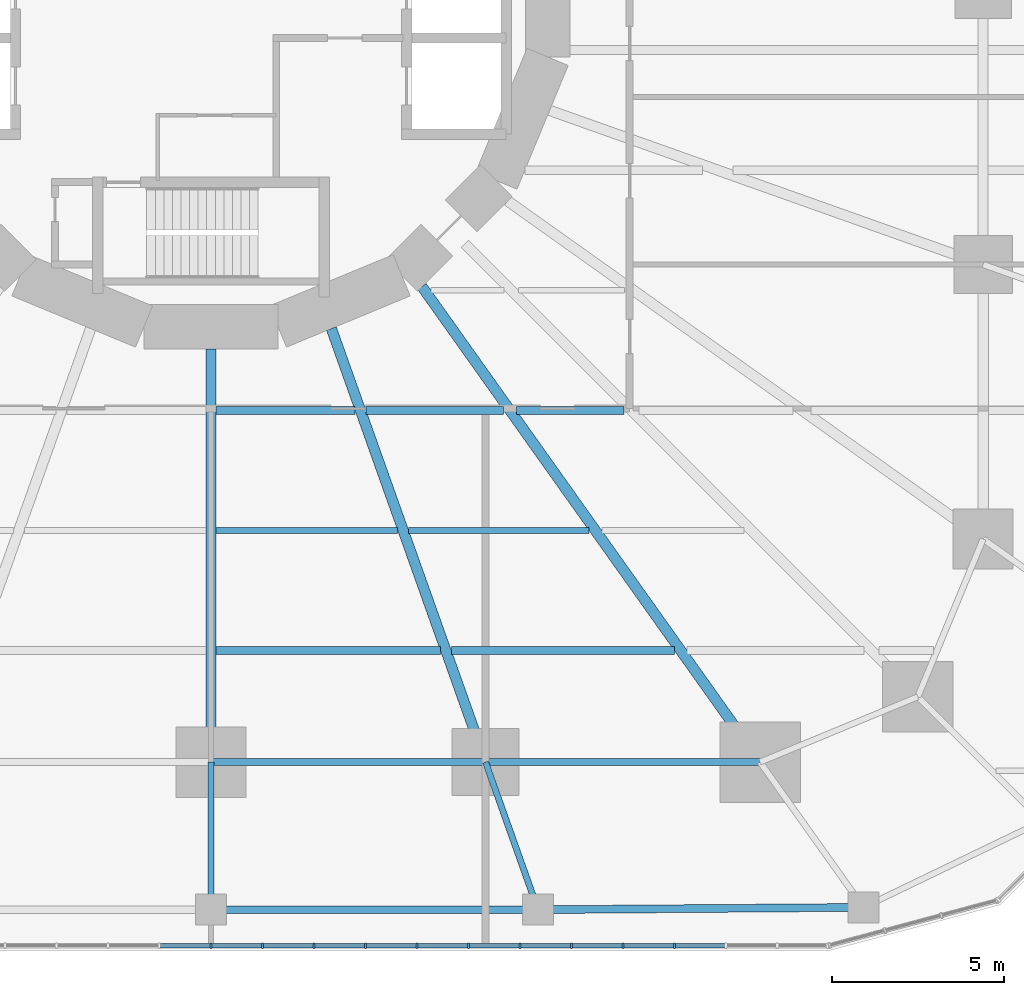
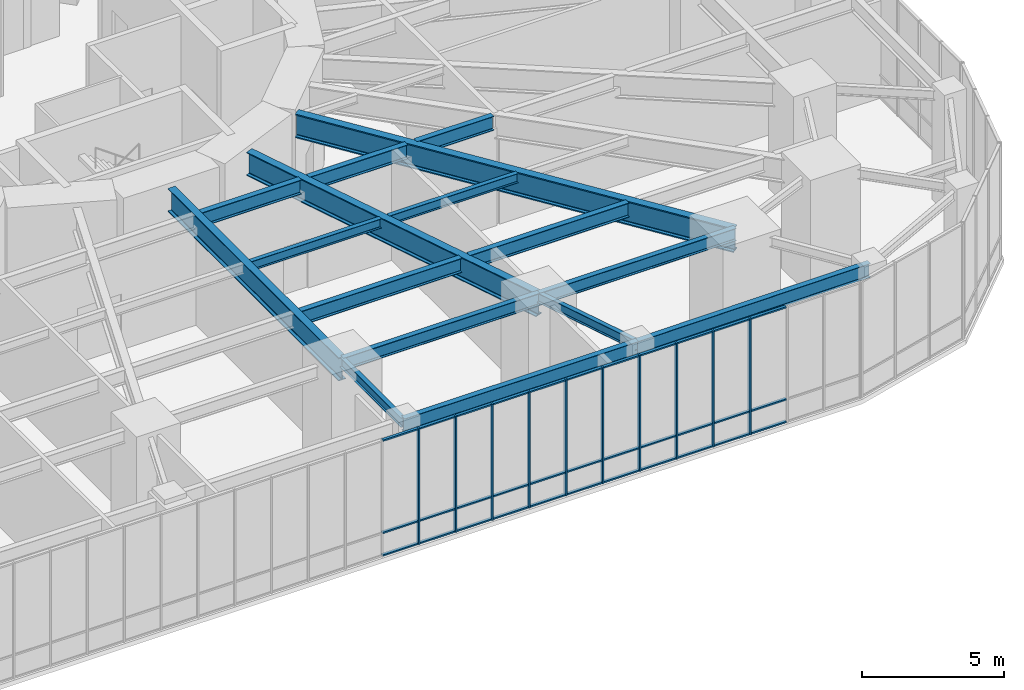
# One storey, part 5 of 24: 43 members, 16 beams, 1 element without a shape of its own.
"""IFC4 building model written with IfcOpenShell, lengths in metres."""

from ifc_helpers import new_model, si_unit, direction, frame, origin, origin_2d, place, context, subcontext, project, spatial, rectangle, i_section, extrude, material, material_profile, profile_set, type_object, element, aggregate, save


model = new_model("IFC4")

# Units and contexts
model_context = context("Model", 3, precision=1e-05, world=origin(), true_north=direction((0.0, 1.0)))
body_context = subcontext(model_context, "Body", "Model", "MODEL_VIEW")
ifc_project = project(units=[si_unit("LENGTHUNIT", "METRE"), si_unit("AREAUNIT", "SQUARE_METRE"), si_unit("VOLUMEUNIT", "CUBIC_METRE"), si_unit("PLANEANGLEUNIT", "RADIAN"), si_unit("MASSUNIT", "GRAM", prefix="KILO")], contexts=[model_context])

# Site, building, storey
site_placement = place(None, origin())
site = spatial("IfcSite", under=ifc_project, at=site_placement, CompositionType="ELEMENT")
building_placement = place(site_placement, origin())
building = spatial("IfcBuilding", under=site, at=building_placement, Name="Nakasero Lantern House", CompositionType="ELEMENT")
storey_placement = place(building_placement, frame((0.0, 0.0, 6.0)))
storey = spatial("IfcBuildingStorey", under=building, at=storey_placement, Name="L01", CompositionType="ELEMENT", Elevation=6.0)

# Beams
ifc_material_1 = material(Name="Steel S355", Category="steel")
ifc_material_profile_1 = material_profile(ifc_material_1, i_section(OverallWidth=0.177978515625, OverallDepth=0.406494140625, WebThickness=0.0078125, FlangeThickness=0.0126953125, FilletRadius=0.01025390625, at=origin_2d()), Name="UB 406x178x60")
ifc_profile_set_1 = profile_set([ifc_material_profile_1], Name="Steel S355")
beam_type_1 = type_object("IfcBeamType", Name="Infill beam UB 406x178x60", PredefinedType="JOIST", material=ifc_profile_set_1)
beam_1_placement = place(storey_placement, frame((0.14990234375, -15.75, 4.5966796875), z_axis=(1.0, 0.0, 0.0), x_axis=(0.0, 1.0, 0.0)))
element("IfcBeam", 1, at=beam_1_placement, inside=storey, type_object=beam_type_1, Name="Infill beam L02 04.4", PredefinedType="JOIST", context=body_context, shape_type="SweptSolid", body=[
    extrude(i_section(OverallWidth=0.177978515625, OverallDepth=0.406494140625, WebThickness=0.0078125, FlangeThickness=0.0126953125, FilletRadius=0.01025390625, at=origin_2d()), origin(), (0.0, 0.0, 1.0), 5.289794921875),
])
beam_2_placement = place(storey_placement, frame((5.76025390625, -15.75, 4.5966796875), z_axis=(1.0, 0.0, 0.0), x_axis=(0.0, 1.0, 0.0)))
element("IfcBeam", 2, at=beam_2_placement, inside=storey, type_object=beam_type_1, Name="Infill beam L02 04.5", PredefinedType="JOIST", context=body_context, shape_type="SweptSolid", body=[
    extrude(i_section(OverallWidth=0.177978515625, OverallDepth=0.406494140625, WebThickness=0.0078125, FlangeThickness=0.0126953125, FilletRadius=0.01025390625, at=origin_2d()), origin(), (0.0, 0.0, 1.0), 5.25244140625),
])
ifc_material_2 = material(Name="Steel S355", Category="steel")
ifc_material_profile_2 = material_profile(ifc_material_2, i_section(OverallWidth=0.22900390625, OverallDepth=0.6123046875, WebThickness=0.011962890625, FlangeThickness=0.01953125, FilletRadius=0.0126953125, at=origin_2d()), Name="UB 610x229x125")
ifc_profile_set_2 = profile_set([ifc_material_profile_2], Name="Steel S355")
beam_type_2 = type_object("IfcBeamType", Name="Infill beam UB 610x229x125", PredefinedType="JOIST", material=ifc_profile_set_2)
beam_3_placement = place(storey_placement, frame((0.14990234375, -19.25, 4.493896484375), z_axis=(1.0, 0.0, 0.0), x_axis=(0.0, 1.0, 0.0)))
element("IfcBeam", 3, at=beam_3_placement, inside=storey, type_object=beam_type_2, Name="Infill beam L02 03.5", PredefinedType="JOIST", context=body_context, shape_type="SweptSolid", body=[
    extrude(i_section(OverallWidth=0.22900390625, OverallDepth=0.6123046875, WebThickness=0.011962890625, FlangeThickness=0.01953125, FilletRadius=0.0126953125, at=origin_2d()), origin(), (0.0, 0.0, 1.0), 6.5341796875),
])
beam_4_placement = place(storey_placement, frame((7.004638671875, -19.25, 4.493896484375), z_axis=(1.0, 0.0, 0.0), x_axis=(0.0, 1.0, 0.0)))
element("IfcBeam", 4, at=beam_4_placement, inside=storey, type_object=beam_type_2, Name="Infill beam L02 03.6", PredefinedType="JOIST", context=body_context, shape_type="SweptSolid", body=[
    extrude(i_section(OverallWidth=0.22900390625, OverallDepth=0.6123046875, WebThickness=0.011962890625, FlangeThickness=0.01953125, FilletRadius=0.0126953125, at=origin_2d()), origin(), (0.0, 0.0, 1.0), 6.496826171875),
])
beam_5_placement = place(storey_placement, frame((0.14990234375, -12.25, 4.493896484375), z_axis=(1.0, 0.0, 0.0), x_axis=(0.0, 1.0, 0.0)))
element("IfcBeam", 5, at=beam_5_placement, inside=storey, type_object=beam_type_2, Name="Infill beam L02 05.7", PredefinedType="JOIST", context=body_context, shape_type="SweptSolid", body=[
    extrude(i_section(OverallWidth=0.22900390625, OverallDepth=0.6123046875, WebThickness=0.011962890625, FlangeThickness=0.01953125, FilletRadius=0.0126953125, at=origin_2d()), origin(), (0.0, 0.0, 1.0), 4.04541015625),
])
beam_6_placement = place(storey_placement, frame((4.515869140625, -12.25, 4.493896484375), z_axis=(1.0, 0.0, 0.0), x_axis=(0.0, 1.0, 0.0)))
element("IfcBeam", 6, at=beam_6_placement, inside=storey, type_object=beam_type_2, Name="Infill beam L02 05.8", PredefinedType="JOIST", context=body_context, shape_type="SweptSolid", body=[
    extrude(i_section(OverallWidth=0.22900390625, OverallDepth=0.6123046875, WebThickness=0.011962890625, FlangeThickness=0.01953125, FilletRadius=0.0126953125, at=origin_2d()), origin(), (0.0, 0.0, 1.0), 4.0078125),
])
beam_7_placement = place(storey_placement, frame((8.8984375, -12.25, 4.493896484375), z_axis=(1.0, 0.0, 0.0), x_axis=(0.0, 1.0, 0.0)))
element("IfcBeam", 7, at=beam_7_placement, inside=storey, type_object=beam_type_2, Name="Infill beam L02 05.9", PredefinedType="JOIST", context=body_context, shape_type="SweptSolid", body=[
    extrude(i_section(OverallWidth=0.22900390625, OverallDepth=0.6123046875, WebThickness=0.011962890625, FlangeThickness=0.01953125, FilletRadius=0.0126953125, at=origin_2d()), origin(), (0.0, 0.0, 1.0), 3.135498046875),
])

# Curtain wall, members
ifc_material_3 = material(Name="Aluminium 6063-T6 and glass", Category="aluminium")
curtain_wall_type = type_object("IfcCurtainWallType", Name="Podium curtain wall CW-2", PredefinedType="USERDEFINED", material=ifc_material_3)
curtain_wall_placement = place(storey_placement, origin())
curtain_wall = element("IfcCurtainWall", 8, at=curtain_wall_placement, inside=storey, type_object=curtain_wall_type, Name="Curtain wall CW-2 L01", ObjectType="STICK CURTAIN WALL", PredefinedType="USERDEFINED")
ifc_material_4 = material(Name="Aluminium 6063-T6", Category="aluminium")
ifc_material_profile_3 = material_profile(ifc_material_4, rectangle(XDim=0.06005859375, YDim=0.159912109375, at=origin_2d()), Name="CW-2 mullion 60x160")
ifc_profile_set_3 = profile_set([ifc_material_profile_3], Name="Aluminium 6063-T6")
member_type_1 = type_object("IfcMemberType", Name="Mullion CW-2", PredefinedType="MULLION", material=ifc_profile_set_3)
member_1_placement = place(storey_placement, frame((0.0, -27.85009765625, 0.0), z_axis=(0.0, 0.0, 1.0), x_axis=(1.0, 0.0, 0.0)))
member_1 = element("IfcMember", 9, at=member_1_placement, type_object=member_type_1, Name="CW-2 mullion 13", PredefinedType="MULLION", context=body_context, shape_type="SweptSolid", body=[
    extrude(rectangle(XDim=0.06005859375, YDim=0.159912109375, at=origin_2d()), origin(), (0.0, 0.0, 1.0), 5.0),
])
member_2_placement = place(storey_placement, frame((1.5, -27.85009765625, 0.0), z_axis=(0.0, 0.0, 1.0), x_axis=(1.0, 0.0, 0.0)))
member_2 = element("IfcMember", 10, at=member_2_placement, type_object=member_type_1, Name="CW-2 mullion 14", PredefinedType="MULLION", context=body_context, shape_type="SweptSolid", body=[
    extrude(rectangle(XDim=0.06005859375, YDim=0.159912109375, at=origin_2d()), origin(), (0.0, 0.0, 1.0), 5.0),
])
member_3_placement = place(storey_placement, frame((3.0, -27.85009765625, 0.0), z_axis=(0.0, 0.0, 1.0), x_axis=(1.0, 0.0, 0.0)))
member_3 = element("IfcMember", 11, at=member_3_placement, type_object=member_type_1, Name="CW-2 mullion 15", PredefinedType="MULLION", context=body_context, shape_type="SweptSolid", body=[
    extrude(rectangle(XDim=0.06005859375, YDim=0.159912109375, at=origin_2d()), origin(), (0.0, 0.0, 1.0), 5.0),
])
member_4_placement = place(storey_placement, frame((4.5, -27.85009765625, 0.0), z_axis=(0.0, 0.0, 1.0), x_axis=(1.0, 0.0, 0.0)))
member_4 = element("IfcMember", 12, at=member_4_placement, type_object=member_type_1, Name="CW-2 mullion 16", PredefinedType="MULLION", context=body_context, shape_type="SweptSolid", body=[
    extrude(rectangle(XDim=0.06005859375, YDim=0.159912109375, at=origin_2d()), origin(), (0.0, 0.0, 1.0), 5.0),
])
member_5_placement = place(storey_placement, frame((6.0, -27.85009765625, 0.0), z_axis=(0.0, 0.0, 1.0), x_axis=(1.0, 0.0, 0.0)))
member_5 = element("IfcMember", 13, at=member_5_placement, type_object=member_type_1, Name="CW-2 mullion 17", PredefinedType="MULLION", context=body_context, shape_type="SweptSolid", body=[
    extrude(rectangle(XDim=0.06005859375, YDim=0.159912109375, at=origin_2d()), origin(), (0.0, 0.0, 1.0), 5.0),
])
member_6_placement = place(storey_placement, frame((7.5, -27.85009765625, 0.0), z_axis=(0.0, 0.0, 1.0), x_axis=(1.0, 0.0, 0.0)))
member_6 = element("IfcMember", 14, at=member_6_placement, type_object=member_type_1, Name="CW-2 mullion 18", PredefinedType="MULLION", context=body_context, shape_type="SweptSolid", body=[
    extrude(rectangle(XDim=0.06005859375, YDim=0.159912109375, at=origin_2d()), origin(), (0.0, 0.0, 1.0), 5.0),
])
member_7_placement = place(storey_placement, frame((9.0, -27.85009765625, 0.0), z_axis=(0.0, 0.0, 1.0), x_axis=(1.0, 0.0, 0.0)))
member_7 = element("IfcMember", 15, at=member_7_placement, type_object=member_type_1, Name="CW-2 mullion 19", PredefinedType="MULLION", context=body_context, shape_type="SweptSolid", body=[
    extrude(rectangle(XDim=0.06005859375, YDim=0.159912109375, at=origin_2d()), origin(), (0.0, 0.0, 1.0), 5.0),
])
member_8_placement = place(storey_placement, frame((10.5, -27.85009765625, 0.0), z_axis=(0.0, 0.0, 1.0), x_axis=(1.0, 0.0, 0.0)))
member_8 = element("IfcMember", 16, at=member_8_placement, type_object=member_type_1, Name="CW-2 mullion 20", PredefinedType="MULLION", context=body_context, shape_type="SweptSolid", body=[
    extrude(rectangle(XDim=0.06005859375, YDim=0.159912109375, at=origin_2d()), origin(), (0.0, 0.0, 1.0), 5.0),
])
member_9_placement = place(storey_placement, frame((12.0, -27.85009765625, 0.0), z_axis=(0.0, 0.0, 1.0), x_axis=(1.0, 0.0, 0.0)))
member_9 = element("IfcMember", 17, at=member_9_placement, type_object=member_type_1, Name="CW-2 mullion 21", PredefinedType="MULLION", context=body_context, shape_type="SweptSolid", body=[
    extrude(rectangle(XDim=0.06005859375, YDim=0.159912109375, at=origin_2d()), origin(), (0.0, 0.0, 1.0), 5.0),
])
member_10_placement = place(storey_placement, frame((13.5, -27.85009765625, 0.0), z_axis=(0.0, 0.0, 1.0), x_axis=(1.0, 0.0, 0.0)))
member_10 = element("IfcMember", 18, at=member_10_placement, type_object=member_type_1, Name="CW-2 mullion 22", PredefinedType="MULLION", context=body_context, shape_type="SweptSolid", body=[
    extrude(rectangle(XDim=0.06005859375, YDim=0.159912109375, at=origin_2d()), origin(), (0.0, 0.0, 1.0), 5.0),
])

# Beams
ifc_material_5 = material(Name="Steel S355", Category="steel")
ifc_material_profile_4 = material_profile(ifc_material_5, i_section(OverallWidth=0.300048828125, OverallDepth=1.0, WebThickness=0.01904296875, FlangeThickness=0.035888671875, FilletRadius=0.030029296875, at=origin_2d()), Name="UB 1016x305x314")
ifc_profile_set_4 = profile_set([ifc_material_profile_4], Name="Steel S355")
beam_type_3 = type_object("IfcBeamType", Name="Primary beam UB 1016x305x314, span 12 to 15 m", PredefinedType="BEAM", material=ifc_profile_set_4)
beam_8_placement = place(storey_placement, frame((0.0, -22.5, 4.300048828125), z_axis=(0.0, 1.0, 0.0), x_axis=(-1.0, 0.0, 0.0)))
element("IfcBeam", 19, at=beam_8_placement, inside=storey, type_object=beam_type_3, Name="Primary beam L02 B1-C21", PredefinedType="BEAM", context=body_context, shape_type="SweptSolid", body=[
    extrude(i_section(OverallWidth=0.300048828125, OverallDepth=1.0, WebThickness=0.01904296875, FlangeThickness=0.035888671875, FilletRadius=0.030029296875, at=origin_2d()), origin(), (0.0, 0.0, 1.0), 12.042236328125),
])
ifc_material_6 = material(Name="Steel S355", Category="steel")
ifc_material_profile_5 = material_profile(ifc_material_6, i_section(OverallWidth=0.302001953125, OverallDepth=1.008056640625, WebThickness=0.02099609375, FlangeThickness=0.0400390625, FilletRadius=0.030029296875, at=origin_2d()), Name="UB 1016x305x349")
ifc_profile_set_5 = profile_set([ifc_material_profile_5], Name="Steel S355")
beam_type_4 = type_object("IfcBeamType", Name="Primary beam UB 1016x305x349, span 12 to 15 m", PredefinedType="BEAM", material=ifc_profile_set_5)
beam_9_placement = place(storey_placement, frame((8.0, -22.5, 4.2958984375), z_axis=(-0.335010745293, 0.942214307118, 0.0), x_axis=(-0.942214307118, -0.335010745293, 0.0)))
element("IfcBeam", 20, at=beam_9_placement, inside=storey, type_object=beam_type_4, Name="Primary beam L02 B1-C22", PredefinedType="BEAM", context=body_context, shape_type="SweptSolid", body=[
    extrude(i_section(OverallWidth=0.302001953125, OverallDepth=1.008056640625, WebThickness=0.02099609375, FlangeThickness=0.0400390625, FilletRadius=0.030029296875, at=origin_2d()), origin(), (0.0, 0.0, 1.0), 13.408447265625),
])
ifc_material_7 = material(Name="Steel S355", Category="steel")
ifc_material_profile_6 = material_profile(ifc_material_7, i_section(OverallWidth=0.305419921875, OverallDepth=1.026123046875, WebThickness=0.02685546875, FlangeThickness=0.049072265625, FilletRadius=0.030029296875, at=origin_2d()), Name="UB 1016x305x437")
ifc_profile_set_6 = profile_set([ifc_material_profile_6], Name="Steel S355")
beam_type_5 = type_object("IfcBeamType", Name="Primary beam UB 1016x305x437, span over 15 m", PredefinedType="BEAM", material=ifc_profile_set_6)
beam_10_placement = place(storey_placement, frame((16.0, -22.5, 4.286865234375), z_axis=(-0.579528236629, 0.814952159915, 0.0), x_axis=(-0.814952159915, -0.579528236629, 0.0)))
element("IfcBeam", 21, at=beam_10_placement, inside=storey, type_object=beam_type_5, Name="Primary beam L02 B1-C23", PredefinedType="BEAM", context=body_context, shape_type="SweptSolid", body=[
    extrude(i_section(OverallWidth=0.305419921875, OverallDepth=1.026123046875, WebThickness=0.02685546875, FlangeThickness=0.049072265625, FilletRadius=0.030029296875, at=origin_2d()), origin(), (0.0, 0.0, 1.0), 17.003173828125),
])
ifc_material_8 = material(Name="Steel S355", Category="steel")
ifc_material_profile_7 = material_profile(ifc_material_8, i_section(OverallWidth=0.179443359375, OverallDepth=0.412841796875, WebThickness=0.009521484375, FlangeThickness=0.01611328125, FilletRadius=0.01025390625, at=origin_2d()), Name="UB 406x178x74")
ifc_profile_set_7 = profile_set([ifc_material_profile_7], Name="Steel S355")
beam_type_6 = type_object("IfcBeamType", Name="Primary beam UB 406x178x74, span to 6 m", PredefinedType="BEAM", material=ifc_profile_set_7)
beam_11_placement = place(storey_placement, frame((0.0, -26.800048828125, 4.593505859375), z_axis=(0.0, 1.0, 0.0), x_axis=(-1.0, 0.0, 0.0)))
element("IfcBeam", 22, at=beam_11_placement, inside=storey, type_object=beam_type_6, Name="Primary beam L02 POD-C21", PredefinedType="BEAM", context=body_context, shape_type="SweptSolid", body=[
    extrude(i_section(OverallWidth=0.179443359375, OverallDepth=0.412841796875, WebThickness=0.009521484375, FlangeThickness=0.01611328125, FilletRadius=0.01025390625, at=origin_2d()), origin(), (0.0, 0.0, 1.0), 4.300048828125),
])
beam_12_placement = place(storey_placement, frame((9.52880859375, -26.800048828125, 4.593505859375), z_axis=(-0.334990670833, 0.942221444489, 0.0), x_axis=(-0.942221444489, -0.334990670833, 0.0)))
element("IfcBeam", 23, at=beam_12_placement, inside=storey, type_object=beam_type_6, Name="Primary beam L02 POD-C22", PredefinedType="BEAM", context=body_context, shape_type="SweptSolid", body=[
    extrude(i_section(OverallWidth=0.179443359375, OverallDepth=0.412841796875, WebThickness=0.009521484375, FlangeThickness=0.01611328125, FilletRadius=0.01025390625, at=origin_2d()), origin(), (0.0, 0.0, 1.0), 4.563720703125),
])
ifc_material_9 = material(Name="Steel S355", Category="steel")
ifc_material_profile_8 = material_profile(ifc_material_9, i_section(OverallWidth=0.2099609375, OverallDepth=0.53662109375, WebThickness=0.0107421875, FlangeThickness=0.017333984375, FilletRadius=0.0126953125, at=origin_2d()), Name="UB 533x210x101")
ifc_profile_set_8 = profile_set([ifc_material_profile_8], Name="Steel S355")
beam_type_7 = type_object("IfcBeamType", Name="Ring beam UB 533x210x101", PredefinedType="BEAM", material=ifc_profile_set_8)
for number, where, z_axis, x_axis, name in (
    (24, (0.0, -22.5, 4.53173828125), (1.0, 0.0, 0.0), (0.0, 1.0, 0.0), "Ring beam L02 B1-C21"),
    (25, (8.0, -22.5, 4.53173828125), (1.0, 0.0, 0.0), (0.0, 1.0, 0.0), "Ring beam L02 B1-C22"),
):
    element("IfcBeam", number, at=place(storey_placement, frame(where, z_axis=z_axis, x_axis=x_axis)), inside=storey, type_object=beam_type_7, Name=name, PredefinedType="BEAM", context=body_context, shape_type="SweptSolid", body=[
        extrude(i_section(OverallWidth=0.2099609375, OverallDepth=0.53662109375, WebThickness=0.0107421875, FlangeThickness=0.017333984375, FilletRadius=0.0126953125, at=origin_2d()), origin(), (0.0, 0.0, 1.0), 8.0),
    ])
ifc_material_10 = material(Name="Steel S355", Category="steel")
ifc_material_profile_9 = material_profile(ifc_material_10, i_section(OverallWidth=0.2275390625, OverallDepth=0.6025390625, WebThickness=0.010498046875, FlangeThickness=0.014892578125, FilletRadius=0.0126953125, at=origin_2d()), Name="UB 610x229x101")
ifc_profile_set_9 = profile_set([ifc_material_profile_9], Name="Steel S355")
beam_type_8 = type_object("IfcBeamType", Name="Ring beam UB 610x229x101", PredefinedType="BEAM", material=ifc_profile_set_9)
beam_13_placement = place(storey_placement, frame((0.0, -26.800048828125, 4.498779296875), z_axis=(1.0, 0.0, 0.0), x_axis=(0.0, 1.0, 0.0)))
element("IfcBeam", 26, at=beam_13_placement, inside=storey, type_object=beam_type_8, Name="Ring beam L02 POD-C21", PredefinedType="BEAM", context=body_context, shape_type="SweptSolid", body=[
    extrude(i_section(OverallWidth=0.2275390625, OverallDepth=0.6025390625, WebThickness=0.010498046875, FlangeThickness=0.014892578125, FilletRadius=0.0126953125, at=origin_2d()), origin(), (0.0, 0.0, 1.0), 9.52880859375),
])
beam_14_placement = place(storey_placement, frame((9.52880859375, -26.800048828125, 4.498779296875), z_axis=(0.999975476745, 0.007003278482, 0.0), x_axis=(-0.007003278482, 0.999975476745, 0.0)))
element("IfcBeam", 27, at=beam_14_placement, inside=storey, type_object=beam_type_8, Name="Ring beam L02 POD-C22", PredefinedType="BEAM", context=body_context, shape_type="SweptSolid", body=[
    extrude(i_section(OverallWidth=0.2275390625, OverallDepth=0.6025390625, WebThickness=0.010498046875, FlangeThickness=0.014892578125, FilletRadius=0.0126953125, at=origin_2d()), origin(), (0.0, 0.0, 1.0), 9.482177734375),
])

# Member
ifc_material_11 = material(Name="Aluminium 6063-T6", Category="aluminium")
ifc_material_profile_10 = material_profile(ifc_material_11, rectangle(XDim=0.06005859375, YDim=0.1201171875, at=origin_2d()), Name="CW-2 transom 60x120")
ifc_profile_set_10 = profile_set([ifc_material_profile_10], Name="Aluminium 6063-T6")
member_type_2 = type_object("IfcMemberType", Name="Transom CW-2", PredefinedType="USERDEFINED", material=ifc_profile_set_10)
member_11_placement = place(storey_placement, frame((-1.469970703125, -27.85009765625, 0.030029296875), z_axis=(1.0, 0.0, 0.0), x_axis=(0.0, 0.0, 1.0)))
member_11 = element("IfcMember", 28, at=member_11_placement, type_object=member_type_2, Name="CW-2 transom 12.1", ObjectType="TRANSOM", PredefinedType="USERDEFINED", context=body_context, shape_type="SweptSolid", body=[
    extrude(rectangle(XDim=0.06005859375, YDim=0.1201171875, at=origin_2d()), origin(), (0.0, 0.0, 1.0), 1.43994140625),
])

member_12_placement = place(storey_placement, frame((-1.469970703125, -27.85009765625, 1.0), z_axis=(1.0, 0.0, 0.0), x_axis=(0.0, 0.0, 1.0)))
member_12 = element("IfcMember", 29, at=member_12_placement, type_object=member_type_2, Name="CW-2 transom 12.2", ObjectType="TRANSOM", PredefinedType="USERDEFINED", context=body_context, shape_type="SweptSolid", body=[
    extrude(rectangle(XDim=0.06005859375, YDim=0.1201171875, at=origin_2d()), origin(), (0.0, 0.0, 1.0), 1.43994140625),
])

member_13_placement = place(storey_placement, frame((-1.469970703125, -27.85009765625, 4.969970703125), z_axis=(1.0, 0.0, 0.0), x_axis=(0.0, 0.0, 1.0)))
member_13 = element("IfcMember", 30, at=member_13_placement, type_object=member_type_2, Name="CW-2 transom 12.3", ObjectType="TRANSOM", PredefinedType="USERDEFINED", context=body_context, shape_type="SweptSolid", body=[
    extrude(rectangle(XDim=0.06005859375, YDim=0.1201171875, at=origin_2d()), origin(), (0.0, 0.0, 1.0), 1.43994140625),
])

member_14_placement = place(storey_placement, frame((0.030029296875, -27.85009765625, 0.030029296875), z_axis=(1.0, 0.0, 0.0), x_axis=(0.0, 0.0, 1.0)))
member_14 = element("IfcMember", 31, at=member_14_placement, type_object=member_type_2, Name="CW-2 transom 13.1", ObjectType="TRANSOM", PredefinedType="USERDEFINED", context=body_context, shape_type="SweptSolid", body=[
    extrude(rectangle(XDim=0.06005859375, YDim=0.1201171875, at=origin_2d()), origin(), (0.0, 0.0, 1.0), 1.43994140625),
])

member_15_placement = place(storey_placement, frame((0.030029296875, -27.85009765625, 1.0), z_axis=(1.0, 0.0, 0.0), x_axis=(0.0, 0.0, 1.0)))
member_15 = element("IfcMember", 32, at=member_15_placement, type_object=member_type_2, Name="CW-2 transom 13.2", ObjectType="TRANSOM", PredefinedType="USERDEFINED", context=body_context, shape_type="SweptSolid", body=[
    extrude(rectangle(XDim=0.06005859375, YDim=0.1201171875, at=origin_2d()), origin(), (0.0, 0.0, 1.0), 1.43994140625),
])

member_16_placement = place(storey_placement, frame((0.030029296875, -27.85009765625, 4.969970703125), z_axis=(1.0, 0.0, 0.0), x_axis=(0.0, 0.0, 1.0)))
member_16 = element("IfcMember", 33, at=member_16_placement, type_object=member_type_2, Name="CW-2 transom 13.3", ObjectType="TRANSOM", PredefinedType="USERDEFINED", context=body_context, shape_type="SweptSolid", body=[
    extrude(rectangle(XDim=0.06005859375, YDim=0.1201171875, at=origin_2d()), origin(), (0.0, 0.0, 1.0), 1.43994140625),
])

member_17_placement = place(storey_placement, frame((1.530029296875, -27.85009765625, 0.030029296875), z_axis=(1.0, 0.0, 0.0), x_axis=(0.0, 0.0, 1.0)))
member_17 = element("IfcMember", 34, at=member_17_placement, type_object=member_type_2, Name="CW-2 transom 14.1", ObjectType="TRANSOM", PredefinedType="USERDEFINED", context=body_context, shape_type="SweptSolid", body=[
    extrude(rectangle(XDim=0.06005859375, YDim=0.1201171875, at=origin_2d()), origin(), (0.0, 0.0, 1.0), 1.43994140625),
])

member_18_placement = place(storey_placement, frame((1.530029296875, -27.85009765625, 1.0), z_axis=(1.0, 0.0, 0.0), x_axis=(0.0, 0.0, 1.0)))
member_18 = element("IfcMember", 35, at=member_18_placement, type_object=member_type_2, Name="CW-2 transom 14.2", ObjectType="TRANSOM", PredefinedType="USERDEFINED", context=body_context, shape_type="SweptSolid", body=[
    extrude(rectangle(XDim=0.06005859375, YDim=0.1201171875, at=origin_2d()), origin(), (0.0, 0.0, 1.0), 1.43994140625),
])

member_19_placement = place(storey_placement, frame((1.530029296875, -27.85009765625, 4.969970703125), z_axis=(1.0, 0.0, 0.0), x_axis=(0.0, 0.0, 1.0)))
member_19 = element("IfcMember", 36, at=member_19_placement, type_object=member_type_2, Name="CW-2 transom 14.3", ObjectType="TRANSOM", PredefinedType="USERDEFINED", context=body_context, shape_type="SweptSolid", body=[
    extrude(rectangle(XDim=0.06005859375, YDim=0.1201171875, at=origin_2d()), origin(), (0.0, 0.0, 1.0), 1.43994140625),
])

member_20_placement = place(storey_placement, frame((3.030029296875, -27.85009765625, 0.030029296875), z_axis=(1.0, 0.0, 0.0), x_axis=(0.0, 0.0, 1.0)))
member_20 = element("IfcMember", 37, at=member_20_placement, type_object=member_type_2, Name="CW-2 transom 15.1", ObjectType="TRANSOM", PredefinedType="USERDEFINED", context=body_context, shape_type="SweptSolid", body=[
    extrude(rectangle(XDim=0.06005859375, YDim=0.1201171875, at=origin_2d()), origin(), (0.0, 0.0, 1.0), 1.43994140625),
])

member_21_placement = place(storey_placement, frame((3.030029296875, -27.85009765625, 1.0), z_axis=(1.0, 0.0, 0.0), x_axis=(0.0, 0.0, 1.0)))
member_21 = element("IfcMember", 38, at=member_21_placement, type_object=member_type_2, Name="CW-2 transom 15.2", ObjectType="TRANSOM", PredefinedType="USERDEFINED", context=body_context, shape_type="SweptSolid", body=[
    extrude(rectangle(XDim=0.06005859375, YDim=0.1201171875, at=origin_2d()), origin(), (0.0, 0.0, 1.0), 1.43994140625),
])

member_22_placement = place(storey_placement, frame((3.030029296875, -27.85009765625, 4.969970703125), z_axis=(1.0, 0.0, 0.0), x_axis=(0.0, 0.0, 1.0)))
member_22 = element("IfcMember", 39, at=member_22_placement, type_object=member_type_2, Name="CW-2 transom 15.3", ObjectType="TRANSOM", PredefinedType="USERDEFINED", context=body_context, shape_type="SweptSolid", body=[
    extrude(rectangle(XDim=0.06005859375, YDim=0.1201171875, at=origin_2d()), origin(), (0.0, 0.0, 1.0), 1.43994140625),
])

member_23_placement = place(storey_placement, frame((4.530029296875, -27.85009765625, 0.030029296875), z_axis=(1.0, 0.0, 0.0), x_axis=(0.0, 0.0, 1.0)))
member_23 = element("IfcMember", 40, at=member_23_placement, type_object=member_type_2, Name="CW-2 transom 16.1", ObjectType="TRANSOM", PredefinedType="USERDEFINED", context=body_context, shape_type="SweptSolid", body=[
    extrude(rectangle(XDim=0.06005859375, YDim=0.1201171875, at=origin_2d()), origin(), (0.0, 0.0, 1.0), 1.43994140625),
])

member_24_placement = place(storey_placement, frame((4.530029296875, -27.85009765625, 1.0), z_axis=(1.0, 0.0, 0.0), x_axis=(0.0, 0.0, 1.0)))
member_24 = element("IfcMember", 41, at=member_24_placement, type_object=member_type_2, Name="CW-2 transom 16.2", ObjectType="TRANSOM", PredefinedType="USERDEFINED", context=body_context, shape_type="SweptSolid", body=[
    extrude(rectangle(XDim=0.06005859375, YDim=0.1201171875, at=origin_2d()), origin(), (0.0, 0.0, 1.0), 1.43994140625),
])

member_25_placement = place(storey_placement, frame((4.530029296875, -27.85009765625, 4.969970703125), z_axis=(1.0, 0.0, 0.0), x_axis=(0.0, 0.0, 1.0)))
member_25 = element("IfcMember", 42, at=member_25_placement, type_object=member_type_2, Name="CW-2 transom 16.3", ObjectType="TRANSOM", PredefinedType="USERDEFINED", context=body_context, shape_type="SweptSolid", body=[
    extrude(rectangle(XDim=0.06005859375, YDim=0.1201171875, at=origin_2d()), origin(), (0.0, 0.0, 1.0), 1.43994140625),
])

member_26_placement = place(storey_placement, frame((6.030029296875, -27.85009765625, 0.030029296875), z_axis=(1.0, 0.0, 0.0), x_axis=(0.0, 0.0, 1.0)))
member_26 = element("IfcMember", 43, at=member_26_placement, type_object=member_type_2, Name="CW-2 transom 17.1", ObjectType="TRANSOM", PredefinedType="USERDEFINED", context=body_context, shape_type="SweptSolid", body=[
    extrude(rectangle(XDim=0.06005859375, YDim=0.1201171875, at=origin_2d()), origin(), (0.0, 0.0, 1.0), 1.43994140625),
])

member_27_placement = place(storey_placement, frame((6.030029296875, -27.85009765625, 1.0), z_axis=(1.0, 0.0, 0.0), x_axis=(0.0, 0.0, 1.0)))
member_27 = element("IfcMember", 44, at=member_27_placement, type_object=member_type_2, Name="CW-2 transom 17.2", ObjectType="TRANSOM", PredefinedType="USERDEFINED", context=body_context, shape_type="SweptSolid", body=[
    extrude(rectangle(XDim=0.06005859375, YDim=0.1201171875, at=origin_2d()), origin(), (0.0, 0.0, 1.0), 1.43994140625),
])

member_28_placement = place(storey_placement, frame((6.030029296875, -27.85009765625, 4.969970703125), z_axis=(1.0, 0.0, 0.0), x_axis=(0.0, 0.0, 1.0)))
member_28 = element("IfcMember", 45, at=member_28_placement, type_object=member_type_2, Name="CW-2 transom 17.3", ObjectType="TRANSOM", PredefinedType="USERDEFINED", context=body_context, shape_type="SweptSolid", body=[
    extrude(rectangle(XDim=0.06005859375, YDim=0.1201171875, at=origin_2d()), origin(), (0.0, 0.0, 1.0), 1.43994140625),
])

member_29_placement = place(storey_placement, frame((7.530029296875, -27.85009765625, 0.030029296875), z_axis=(1.0, 0.0, 0.0), x_axis=(0.0, 0.0, 1.0)))
member_29 = element("IfcMember", 46, at=member_29_placement, type_object=member_type_2, Name="CW-2 transom 18.1", ObjectType="TRANSOM", PredefinedType="USERDEFINED", context=body_context, shape_type="SweptSolid", body=[
    extrude(rectangle(XDim=0.06005859375, YDim=0.1201171875, at=origin_2d()), origin(), (0.0, 0.0, 1.0), 1.43994140625),
])

member_30_placement = place(storey_placement, frame((7.530029296875, -27.85009765625, 1.0), z_axis=(1.0, 0.0, 0.0), x_axis=(0.0, 0.0, 1.0)))
member_30 = element("IfcMember", 47, at=member_30_placement, type_object=member_type_2, Name="CW-2 transom 18.2", ObjectType="TRANSOM", PredefinedType="USERDEFINED", context=body_context, shape_type="SweptSolid", body=[
    extrude(rectangle(XDim=0.06005859375, YDim=0.1201171875, at=origin_2d()), origin(), (0.0, 0.0, 1.0), 1.43994140625),
])

member_31_placement = place(storey_placement, frame((7.530029296875, -27.85009765625, 4.969970703125), z_axis=(1.0, 0.0, 0.0), x_axis=(0.0, 0.0, 1.0)))
member_31 = element("IfcMember", 48, at=member_31_placement, type_object=member_type_2, Name="CW-2 transom 18.3", ObjectType="TRANSOM", PredefinedType="USERDEFINED", context=body_context, shape_type="SweptSolid", body=[
    extrude(rectangle(XDim=0.06005859375, YDim=0.1201171875, at=origin_2d()), origin(), (0.0, 0.0, 1.0), 1.43994140625),
])

member_32_placement = place(storey_placement, frame((9.030029296875, -27.85009765625, 0.030029296875), z_axis=(1.0, 0.0, 0.0), x_axis=(0.0, 0.0, 1.0)))
member_32 = element("IfcMember", 49, at=member_32_placement, type_object=member_type_2, Name="CW-2 transom 19.1", ObjectType="TRANSOM", PredefinedType="USERDEFINED", context=body_context, shape_type="SweptSolid", body=[
    extrude(rectangle(XDim=0.06005859375, YDim=0.1201171875, at=origin_2d()), origin(), (0.0, 0.0, 1.0), 1.43994140625),
])

member_33_placement = place(storey_placement, frame((9.030029296875, -27.85009765625, 1.0), z_axis=(1.0, 0.0, 0.0), x_axis=(0.0, 0.0, 1.0)))
member_33 = element("IfcMember", 50, at=member_33_placement, type_object=member_type_2, Name="CW-2 transom 19.2", ObjectType="TRANSOM", PredefinedType="USERDEFINED", context=body_context, shape_type="SweptSolid", body=[
    extrude(rectangle(XDim=0.06005859375, YDim=0.1201171875, at=origin_2d()), origin(), (0.0, 0.0, 1.0), 1.43994140625),
])

member_34_placement = place(storey_placement, frame((9.030029296875, -27.85009765625, 4.969970703125), z_axis=(1.0, 0.0, 0.0), x_axis=(0.0, 0.0, 1.0)))
member_34 = element("IfcMember", 51, at=member_34_placement, type_object=member_type_2, Name="CW-2 transom 19.3", ObjectType="TRANSOM", PredefinedType="USERDEFINED", context=body_context, shape_type="SweptSolid", body=[
    extrude(rectangle(XDim=0.06005859375, YDim=0.1201171875, at=origin_2d()), origin(), (0.0, 0.0, 1.0), 1.43994140625),
])

member_35_placement = place(storey_placement, frame((10.530029296875, -27.85009765625, 0.030029296875), z_axis=(1.0, 0.0, 0.0), x_axis=(0.0, 0.0, 1.0)))
member_35 = element("IfcMember", 52, at=member_35_placement, type_object=member_type_2, Name="CW-2 transom 20.1", ObjectType="TRANSOM", PredefinedType="USERDEFINED", context=body_context, shape_type="SweptSolid", body=[
    extrude(rectangle(XDim=0.06005859375, YDim=0.1201171875, at=origin_2d()), origin(), (0.0, 0.0, 1.0), 1.43994140625),
])

member_36_placement = place(storey_placement, frame((10.530029296875, -27.85009765625, 1.0), z_axis=(1.0, 0.0, 0.0), x_axis=(0.0, 0.0, 1.0)))
member_36 = element("IfcMember", 53, at=member_36_placement, type_object=member_type_2, Name="CW-2 transom 20.2", ObjectType="TRANSOM", PredefinedType="USERDEFINED", context=body_context, shape_type="SweptSolid", body=[
    extrude(rectangle(XDim=0.06005859375, YDim=0.1201171875, at=origin_2d()), origin(), (0.0, 0.0, 1.0), 1.43994140625),
])

member_37_placement = place(storey_placement, frame((10.530029296875, -27.85009765625, 4.969970703125), z_axis=(1.0, 0.0, 0.0), x_axis=(0.0, 0.0, 1.0)))
member_37 = element("IfcMember", 54, at=member_37_placement, type_object=member_type_2, Name="CW-2 transom 20.3", ObjectType="TRANSOM", PredefinedType="USERDEFINED", context=body_context, shape_type="SweptSolid", body=[
    extrude(rectangle(XDim=0.06005859375, YDim=0.1201171875, at=origin_2d()), origin(), (0.0, 0.0, 1.0), 1.43994140625),
])

member_38_placement = place(storey_placement, frame((12.030029296875, -27.85009765625, 0.030029296875), z_axis=(1.0, 0.0, 0.0), x_axis=(0.0, 0.0, 1.0)))
member_38 = element("IfcMember", 55, at=member_38_placement, type_object=member_type_2, Name="CW-2 transom 21.1", ObjectType="TRANSOM", PredefinedType="USERDEFINED", context=body_context, shape_type="SweptSolid", body=[
    extrude(rectangle(XDim=0.06005859375, YDim=0.1201171875, at=origin_2d()), origin(), (0.0, 0.0, 1.0), 1.43994140625),
])

member_39_placement = place(storey_placement, frame((12.030029296875, -27.85009765625, 1.0), z_axis=(1.0, 0.0, 0.0), x_axis=(0.0, 0.0, 1.0)))
member_39 = element("IfcMember", 56, at=member_39_placement, type_object=member_type_2, Name="CW-2 transom 21.2", ObjectType="TRANSOM", PredefinedType="USERDEFINED", context=body_context, shape_type="SweptSolid", body=[
    extrude(rectangle(XDim=0.06005859375, YDim=0.1201171875, at=origin_2d()), origin(), (0.0, 0.0, 1.0), 1.43994140625),
])

member_40_placement = place(storey_placement, frame((12.030029296875, -27.85009765625, 4.969970703125), z_axis=(1.0, 0.0, 0.0), x_axis=(0.0, 0.0, 1.0)))
member_40 = element("IfcMember", 57, at=member_40_placement, type_object=member_type_2, Name="CW-2 transom 21.3", ObjectType="TRANSOM", PredefinedType="USERDEFINED", context=body_context, shape_type="SweptSolid", body=[
    extrude(rectangle(XDim=0.06005859375, YDim=0.1201171875, at=origin_2d()), origin(), (0.0, 0.0, 1.0), 1.43994140625),
])

member_41_placement = place(storey_placement, frame((13.530029296875, -27.85009765625, 0.030029296875), z_axis=(1.0, 0.0, 0.0), x_axis=(0.0, 0.0, 1.0)))
member_41 = element("IfcMember", 58, at=member_41_placement, type_object=member_type_2, Name="CW-2 transom 22.1", ObjectType="TRANSOM", PredefinedType="USERDEFINED", context=body_context, shape_type="SweptSolid", body=[
    extrude(rectangle(XDim=0.06005859375, YDim=0.1201171875, at=origin_2d()), origin(), (0.0, 0.0, 1.0), 1.43994140625),
])

member_42_placement = place(storey_placement, frame((13.530029296875, -27.85009765625, 1.0), z_axis=(1.0, 0.0, 0.0), x_axis=(0.0, 0.0, 1.0)))
member_42 = element("IfcMember", 59, at=member_42_placement, type_object=member_type_2, Name="CW-2 transom 22.2", ObjectType="TRANSOM", PredefinedType="USERDEFINED", context=body_context, shape_type="SweptSolid", body=[
    extrude(rectangle(XDim=0.06005859375, YDim=0.1201171875, at=origin_2d()), origin(), (0.0, 0.0, 1.0), 1.43994140625),
])

member_43_placement = place(storey_placement, frame((13.530029296875, -27.85009765625, 4.969970703125), z_axis=(1.0, 0.0, 0.0), x_axis=(0.0, 0.0, 1.0)))
member_43 = element("IfcMember", 60, at=member_43_placement, type_object=member_type_2, Name="CW-2 transom 22.3", ObjectType="TRANSOM", PredefinedType="USERDEFINED", context=body_context, shape_type="SweptSolid", body=[
    extrude(rectangle(XDim=0.06005859375, YDim=0.1201171875, at=origin_2d()), origin(), (0.0, 0.0, 1.0), 1.43994140625),
])

aggregate(curtain_wall, [member_1, member_2, member_3, member_4, member_5, member_6, member_7, member_8, member_9, member_10, member_11, member_12, member_13, member_14, member_15, member_16, member_17, member_18, member_19, member_20, member_21, member_22, member_23, member_24, member_25, member_26, member_27, member_28, member_29, member_30, member_31, member_32, member_33, member_34, member_35, member_36, member_37, member_38, member_39, member_40, member_41, member_42, member_43])

save(model, "model.ifc")
